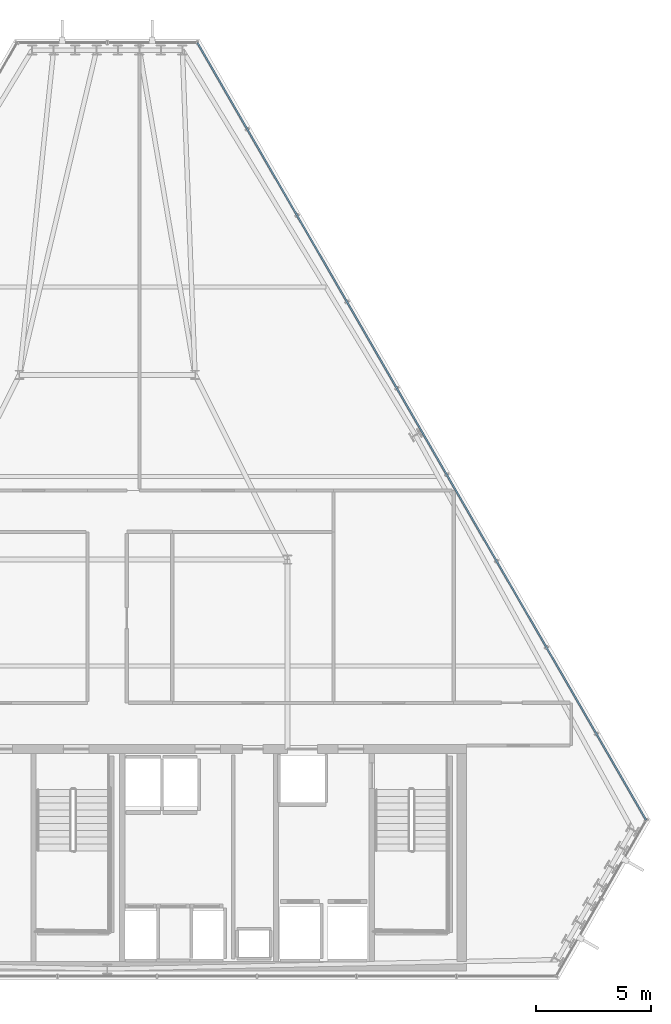
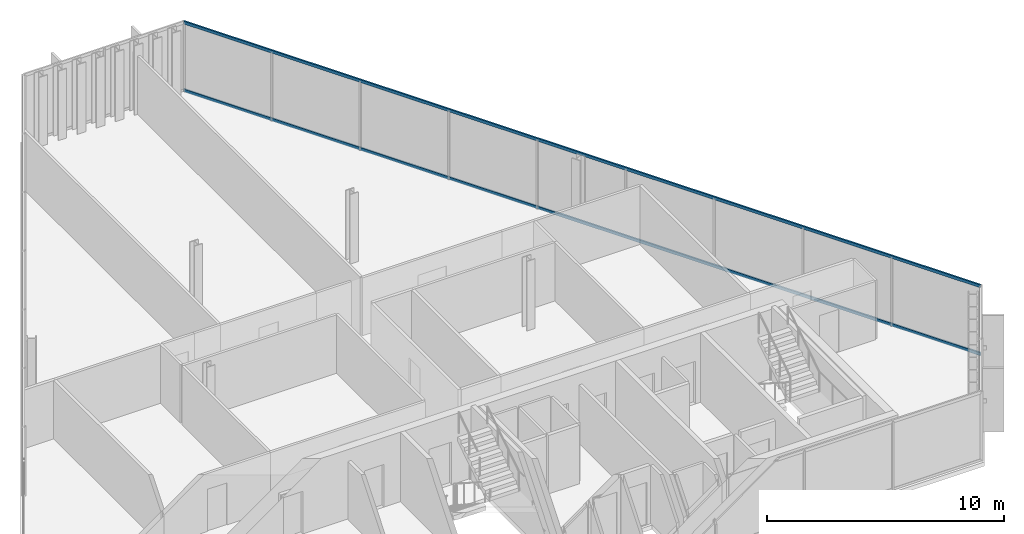
# One storey, part 18 of 30: 2 members, 1 element without a shape of its own.
"""IFC4 building model written with IfcOpenShell, lengths in metres."""

from ifc_helpers import new_model, si_unit, direction, frame, origin, origin_2d, place, context, subcontext, project, spatial, hollow_rectangle, extrude, material, layer, layer_set, material_profile, profile_set, type_object, element, aggregate, save


model = new_model("IFC4")

# Units and contexts
model_context = context("Model", 3, precision=1e-05, world=origin(), true_north=direction((0.0, 1.0)))
body_context = subcontext(model_context, "Body", "Model", "MODEL_VIEW")
ifc_project = project(units=[si_unit("LENGTHUNIT", "METRE"), si_unit("AREAUNIT", "SQUARE_METRE"), si_unit("VOLUMEUNIT", "CUBIC_METRE"), si_unit("PLANEANGLEUNIT", "RADIAN"), si_unit("MASSUNIT", "GRAM", prefix="KILO")], contexts=[model_context])

# Site, building, storey
site_placement = place(None, origin())
site = spatial("IfcSite", under=ifc_project, at=site_placement, CompositionType="ELEMENT")
building_placement = place(site_placement, origin())
building = spatial("IfcBuilding", under=site, at=building_placement, Name="Ndaravel Arena Tower", CompositionType="ELEMENT")
storey_placement = place(building_placement, frame((0.0, 0.0, 221.800048828125)))
storey = spatial("IfcBuildingStorey", under=building, at=storey_placement, Name="L53", CompositionType="ELEMENT", Elevation=221.800048828125)

# Curtain wall, members
ifc_material_1 = material(Name="Aluminium", Category="aluminium")
ifc_layer = layer(ifc_material_1, 0.179931640625)
ifc_layer_set = layer_set([ifc_layer], Name="Aluminium")
curtain_wall_type = type_object("IfcCurtainWallType", Name="CW-SYS-03", PredefinedType="NOTDEFINED", material=ifc_layer_set)
curtain_wall_placement = place(storey_placement, origin())
curtain_wall = element("IfcCurtainWall", 1, at=curtain_wall_placement, inside=storey, type_object=curtain_wall_type, Name="L53 Faceted Crystal Curtain Wall CW-L53-E03", PredefinedType="NOTDEFINED")
ifc_material_2 = material(Name="Aluminium", Category="aluminium")
ifc_material_profile = material_profile(ifc_material_2, hollow_rectangle(XDim=0.074951171875, YDim=0.14990234375, WallThickness=0.00390625, at=origin_2d()), Name="CW TRANSOM 75x150x4")
ifc_profile_set = profile_set([ifc_material_profile], Name="Aluminium")
member_type = type_object("IfcMemberType", Name="MEM-CW-TRN150", PredefinedType="USERDEFINED", material=ifc_profile_set)
member_1_placement = place(storey_placement, frame((65.335205078125, 11.918212890625, 0.0400390625), z_axis=(-0.500001393255, 0.866024599387, 0.0), x_axis=(-0.866024599387, -0.500001393255, 0.0)))
member_1 = element("IfcMember", 2, at=member_1_placement, type_object=member_type, Name="CW-L53-E03 Transom 01", ObjectType="TRANSOM", PredefinedType="USERDEFINED", context=body_context, shape_type="SweptSolid", body=[
    extrude(hollow_rectangle(XDim=0.074951171875, YDim=0.14990234375, WallThickness=0.00390625, at=origin_2d()), origin(), (0.0, 0.0, 1.0), 38.86669921875),
])
member_2_placement = place(storey_placement, frame((65.335205078125, 11.918212890625, 3.5400390625), z_axis=(-0.500001393255, 0.866024599387, 0.0), x_axis=(-0.866024599387, -0.500001393255, 0.0)))
member_2 = element("IfcMember", 3, at=member_2_placement, type_object=member_type, Name="CW-L53-E03 Transom 02", ObjectType="TRANSOM", PredefinedType="USERDEFINED", context=body_context, shape_type="SweptSolid", body=[
    extrude(hollow_rectangle(XDim=0.074951171875, YDim=0.14990234375, WallThickness=0.00390625, at=origin_2d()), origin(), (0.0, 0.0, 1.0), 38.86669921875),
])
aggregate(curtain_wall, [member_1, member_2])

save(model, "model.ifc")
